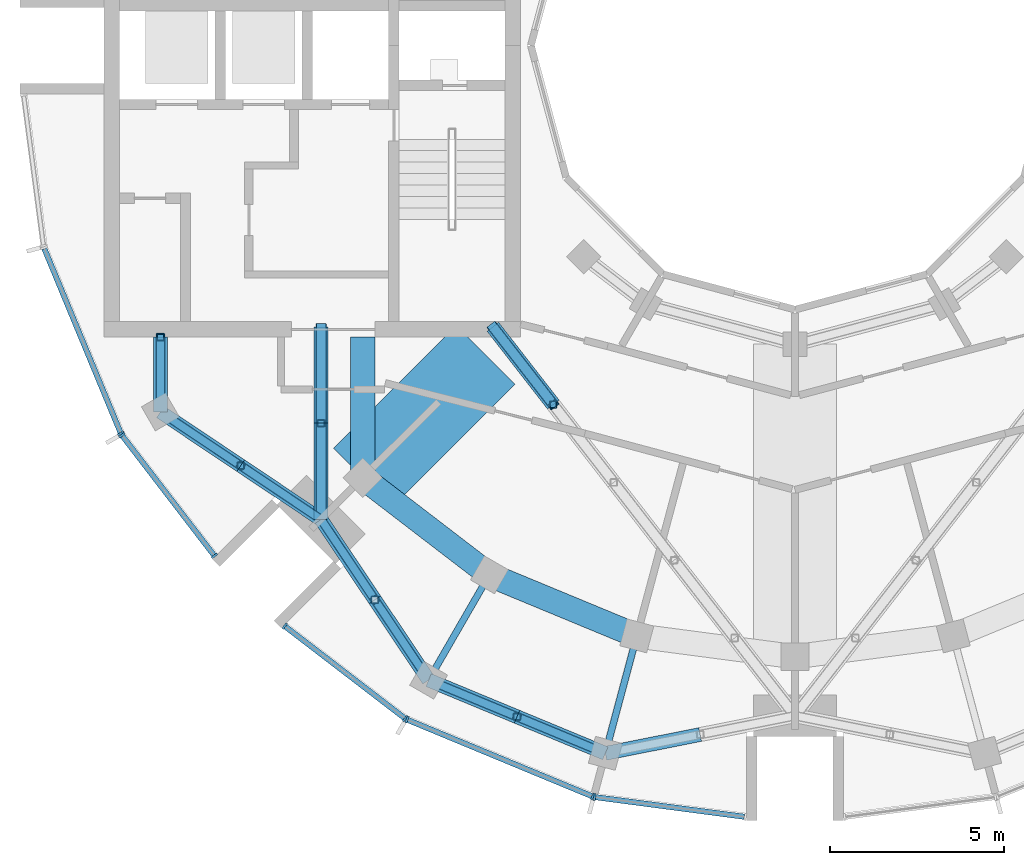
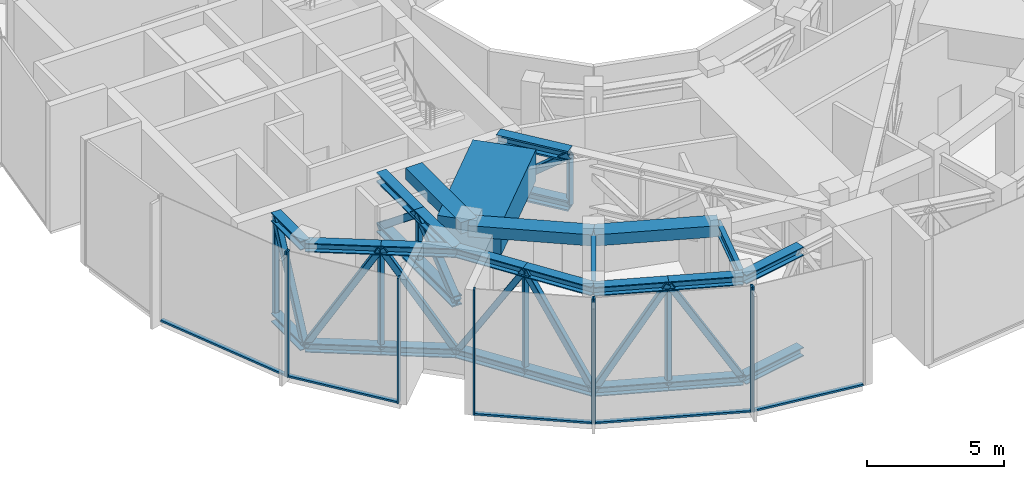
# One storey, part 2 of 17: 51 members, 6 beams, 5 elements without a shape of their own.
"""IFC4 building model written with IfcOpenShell, lengths in metres."""

from ifc_helpers import new_model, si_unit, direction, frame, origin, origin_2d, place, context, subcontext, project, spatial, rectangle, hollow_rectangle, i_section, extrude, material, layer, layer_set, material_profile, profile_set, type_object, element, aggregate, save


model = new_model("IFC4")

# Units and contexts
model_context = context("Model", 3, precision=1e-05, world=origin(), true_north=direction((0.0, 1.0)))
body_context = subcontext(model_context, "Body", "Model", "MODEL_VIEW")
ifc_project = project(units=[si_unit("LENGTHUNIT", "METRE"), si_unit("AREAUNIT", "SQUARE_METRE"), si_unit("VOLUMEUNIT", "CUBIC_METRE"), si_unit("PLANEANGLEUNIT", "RADIAN"), si_unit("MASSUNIT", "GRAM", prefix="KILO")], contexts=[model_context])

# Site, building, storey
site_placement = place(None, origin())
site = spatial("IfcSite", under=ifc_project, at=site_placement, CompositionType="ELEMENT")
building_placement = place(site_placement, origin())
building = spatial("IfcBuilding", under=site, at=building_placement, Name="Torre Brocal", CompositionType="ELEMENT")
storey_placement = place(building_placement, frame((0.0, 0.0, 309.300048828125)))
storey = spatial("IfcBuildingStorey", under=building, at=storey_placement, Name="L71", CompositionType="ELEMENT", Elevation=309.300048828125)

# Members
ifc_material_1 = material(Name="Steel A500 Grade C", Category="steel")
ifc_material_profile_1 = material_profile(ifc_material_1, hollow_rectangle(XDim=0.203125, YDim=0.203125, WallThickness=0.01171875, InnerFilletRadius=0.01171875, OuterFilletRadius=0.023681640625, at=origin_2d()), Name="HSS8X8X1/2")
ifc_profile_set_1 = profile_set([ifc_material_profile_1], Name="Steel A500 Grade C")
member_type_1 = type_object("IfcMemberType", Name="BELT 3 POST HSS8X8X1/2", PredefinedType="POST", material=ifc_profile_set_1)
for number, where, z_axis, x_axis, name in (
    (1, (61.726806640625, 66.60009765625, 0.599365234375), (0.0, 0.0, 1.0), (1.0, 0.0, 0.0), "Member BT3-P10"),
    (2, (64.039794921875, 62.9013671875, 0.599365234375), (0.0, 0.0, 1.0), (1.0, 0.0, 0.0), "Member BT3-P11"),
    (3, (67.9013671875, 59.039794921875, 0.599365234375), (0.0, 0.0, 1.0), (1.0, 0.0, 0.0), "Member BT3-P12"),
    (4, (71.994384765625, 55.6728515625, 0.599365234375), (0.0, 0.0, 1.0), (1.0, 0.0, 0.0), "Member BT3-P13"),
):
    element("IfcMember", number, at=place(storey_placement, frame(where, z_axis=z_axis, x_axis=x_axis)), inside=storey, type_object=member_type_1, Name=name, PredefinedType="POST", context=body_context, shape_type="SweptSolid", body=[
        extrude(hollow_rectangle(XDim=0.203125, YDim=0.203125, WallThickness=0.01171875, InnerFilletRadius=0.01171875, OuterFilletRadius=0.023681640625, at=origin_2d()), origin(), (0.0, 0.0, 1.0), 4.481201171875),
    ])

# Curtain wall, member
ifc_material_2 = material(Name="Aluminium and glass", Category="aluminium")
ifc_layer = layer(ifc_material_2, 0.199951171875)
ifc_layer_set = layer_set([ifc_layer], Name="Aluminium and glass")
curtain_wall_type = type_object("IfcCurtainWallType", Name="CW-1 CURTAIN WALL 5600 HIGH", PredefinedType="NOTDEFINED", material=ifc_layer_set)
curtain_wall_1_placement = place(storey_placement, origin())
curtain_wall_1 = element("IfcCurtainWall", 5, at=curtain_wall_1_placement, inside=storey, type_object=curtain_wall_type, Name="CW-1 RUN 14", PredefinedType="NOTDEFINED")
ifc_material_3 = material(Name="Aluminium, dark anodised", Category="aluminium")
ifc_material_profile_2 = material_profile(ifc_material_3, rectangle(XDim=0.199951171875, YDim=0.06005859375, at=origin_2d()), Name="CW-1 MULLION 60X200")
ifc_profile_set_2 = profile_set([ifc_material_profile_2], Name="Aluminium, dark anodised")
member_type_2 = type_object("IfcMemberType", Name="CW-1 MULLION 60X200", PredefinedType="MULLION", material=ifc_profile_set_2)
member_1_placement = place(storey_placement, frame((60.59033203125, 63.828125, 0.0), z_axis=(0.0, 0.0, 1.0), x_axis=(0.923879532545, 0.382683432284, 0.0)))
member_1 = element("IfcMember", 6, at=member_1_placement, type_object=member_type_2, Name="CW1-2 mullion 2", PredefinedType="MULLION", context=body_context, shape_type="SweptSolid", body=[
    extrude(rectangle(XDim=0.199951171875, YDim=0.06005859375, at=origin_2d()), origin(), (0.0, 0.0, 1.0), 5.599853515625),
])

# Curtain wall, members
curtain_wall_2_placement = place(storey_placement, origin())
curtain_wall_2 = element("IfcCurtainWall", 7, at=curtain_wall_2_placement, inside=storey, type_object=curtain_wall_type, Name="CW-1 RUN 15", PredefinedType="NOTDEFINED")
member_2_placement = place(storey_placement, frame((60.6201171875, 63.776611328125, 0.0), z_axis=(0.0, 0.0, 1.0), x_axis=(0.793353340249, 0.608761429064, 0.0)))
member_2 = element("IfcMember", 8, at=member_2_placement, type_object=member_type_2, Name="CW1-2 mullion 1", PredefinedType="MULLION", context=body_context, shape_type="SweptSolid", body=[
    extrude(rectangle(XDim=0.199951171875, YDim=0.06005859375, at=origin_2d()), origin(), (0.0, 0.0, 1.0), 5.599853515625),
])
member_3_placement = place(storey_placement, frame((63.283447265625, 60.305419921875, 0.0), z_axis=(0.0, 0.0, 1.0), x_axis=(0.793353340249, 0.608761429064, 0.0)))
member_3 = element("IfcMember", 9, at=member_3_placement, type_object=member_type_2, Name="CW1-2 mullion 2", PredefinedType="MULLION", context=body_context, shape_type="SweptSolid", body=[
    extrude(rectangle(XDim=0.199951171875, YDim=0.06005859375, at=origin_2d()), origin(), (0.0, 0.0, 1.0), 5.599853515625),
])

curtain_wall_3_placement = place(storey_placement, origin())
curtain_wall_3 = element("IfcCurtainWall", 10, at=curtain_wall_3_placement, inside=storey, type_object=curtain_wall_type, Name="CW-1 RUN 16", PredefinedType="NOTDEFINED")
member_4_placement = place(storey_placement, frame((65.305419921875, 58.283447265625, 0.0), z_axis=(0.0, 0.0, 1.0), x_axis=(0.608761429064, 0.793353340249, 0.0)))
member_4 = element("IfcMember", 11, at=member_4_placement, type_object=member_type_2, Name="CW1-2 mullion 1", PredefinedType="MULLION", context=body_context, shape_type="SweptSolid", body=[
    extrude(rectangle(XDim=0.199951171875, YDim=0.06005859375, at=origin_2d()), origin(), (0.0, 0.0, 1.0), 5.599853515625),
])
member_5_placement = place(storey_placement, frame((68.776611328125, 55.6201171875, 0.0), z_axis=(0.0, 0.0, 1.0), x_axis=(0.608761429064, 0.793353340249, 0.0)))
member_5 = element("IfcMember", 12, at=member_5_placement, type_object=member_type_2, Name="CW1-2 mullion 2", PredefinedType="MULLION", context=body_context, shape_type="SweptSolid", body=[
    extrude(rectangle(XDim=0.199951171875, YDim=0.06005859375, at=origin_2d()), origin(), (0.0, 0.0, 1.0), 5.599853515625),
])

curtain_wall_4_placement = place(storey_placement, origin())
curtain_wall_4 = element("IfcCurtainWall", 13, at=curtain_wall_4_placement, inside=storey, type_object=curtain_wall_type, Name="CW-1 RUN 17", PredefinedType="NOTDEFINED")
member_6_placement = place(storey_placement, frame((68.828125, 55.59033203125, 0.0), z_axis=(0.0, 0.0, 1.0), x_axis=(0.382683432284, 0.923879532545, 0.0)))
member_6 = element("IfcMember", 14, at=member_6_placement, type_object=member_type_2, Name="CW1-2 mullion 1", PredefinedType="MULLION", context=body_context, shape_type="SweptSolid", body=[
    extrude(rectangle(XDim=0.199951171875, YDim=0.06005859375, at=origin_2d()), origin(), (0.0, 0.0, 1.0), 5.599853515625),
])
member_7_placement = place(storey_placement, frame((74.175048828125, 53.37548828125, 0.0), z_axis=(0.0, 0.0, 1.0), x_axis=(0.382683432284, 0.923879532545, 0.0)))
member_7 = element("IfcMember", 15, at=member_7_placement, type_object=member_type_2, Name="CW1-2 mullion 2", PredefinedType="MULLION", context=body_context, shape_type="SweptSolid", body=[
    extrude(rectangle(XDim=0.199951171875, YDim=0.06005859375, at=origin_2d()), origin(), (0.0, 0.0, 1.0), 5.599853515625),
])

# Curtain wall, member
curtain_wall_5_placement = place(storey_placement, origin())
curtain_wall_5 = element("IfcCurtainWall", 16, at=curtain_wall_5_placement, inside=storey, type_object=curtain_wall_type, Name="CW-1 RUN 18", PredefinedType="NOTDEFINED")
member_8_placement = place(storey_placement, frame((74.232421875, 53.360107421875, 0.0), z_axis=(0.0, 0.0, 1.0), x_axis=(0.13052619222, 0.991444861374, 0.0)))
member_8 = element("IfcMember", 17, at=member_8_placement, type_object=member_type_2, Name="CW1-2 mullion 1", PredefinedType="MULLION", context=body_context, shape_type="SweptSolid", body=[
    extrude(rectangle(XDim=0.199951171875, YDim=0.06005859375, at=origin_2d()), origin(), (0.0, 0.0, 1.0), 5.599853515625),
])

# Member
ifc_material_4 = material(Name="Aluminium, dark anodised", Category="aluminium")
ifc_material_profile_3 = material_profile(ifc_material_4, rectangle(XDim=0.159912109375, YDim=0.080078125, at=origin_2d()), Name="CW-1 TRANSOM 160X80")
ifc_profile_set_3 = profile_set([ifc_material_profile_3], Name="Aluminium, dark anodised")
member_type_3 = type_object("IfcMemberType", Name="CW-1 TRANSOM 160X80", PredefinedType="USERDEFINED", material=ifc_profile_set_3)
member_9_placement = place(storey_placement, frame((58.386962890625, 69.147216796875, 0.0400390625), z_axis=(0.382710701355, -0.923868236854, 0.0), x_axis=(0.923868236854, 0.382710701355, 0.0)))
member_9 = element("IfcMember", 18, at=member_9_placement, type_object=member_type_3, Name="CW1-2 transom 1.1", ObjectType="TRANSOM", PredefinedType="USERDEFINED", context=body_context, shape_type="SweptSolid", body=[
    extrude(rectangle(XDim=0.159912109375, YDim=0.080078125, at=origin_2d()), origin(), (0.0, 0.0, 1.0), 5.727294921875),
])

aggregate(curtain_wall_1, [member_1, member_9])

member_10_placement = place(storey_placement, frame((60.63818359375, 63.7529296875, 0.0400390625), z_axis=(0.608788976677, -0.793332201462, 0.0), x_axis=(0.793332201462, 0.608788976677, 0.0)))
member_10 = element("IfcMember", 19, at=member_10_placement, type_object=member_type_3, Name="CW1-2 transom 1.1", ObjectType="TRANSOM", PredefinedType="USERDEFINED", context=body_context, shape_type="SweptSolid", body=[
    extrude(rectangle(XDim=0.159912109375, YDim=0.080078125, at=origin_2d()), origin(), (0.0, 0.0, 1.0), 4.3154296875),
])

aggregate(curtain_wall_2, [member_2, member_3, member_10])

member_11_placement = place(storey_placement, frame((65.329345703125, 58.265380859375, 0.0400390625), z_axis=(0.793332201462, -0.608788976677, 0.0), x_axis=(0.608788976677, 0.793332201462, 0.0)))
member_11 = element("IfcMember", 20, at=member_11_placement, type_object=member_type_3, Name="CW1-2 transom 1.1", ObjectType="TRANSOM", PredefinedType="USERDEFINED", context=body_context, shape_type="SweptSolid", body=[
    extrude(rectangle(XDim=0.159912109375, YDim=0.080078125, at=origin_2d()), origin(), (0.0, 0.0, 1.0), 4.3154296875),
])

aggregate(curtain_wall_3, [member_4, member_5, member_11])

member_12_placement = place(storey_placement, frame((68.85595703125, 55.578857421875, 0.0400390625), z_axis=(0.923868236854, -0.382710701355, 0.0), x_axis=(0.382710701355, 0.923868236854, 0.0)))
member_12 = element("IfcMember", 21, at=member_12_placement, type_object=member_type_3, Name="CW1-2 transom 1.1", ObjectType="TRANSOM", PredefinedType="USERDEFINED", context=body_context, shape_type="SweptSolid", body=[
    extrude(rectangle(XDim=0.159912109375, YDim=0.080078125, at=origin_2d()), origin(), (0.0, 0.0, 1.0), 5.727294921875),
])

aggregate(curtain_wall_4, [member_6, member_7, member_12])

member_13_placement = place(storey_placement, frame((74.26220703125, 53.356201171875, 0.0400390625), z_axis=(0.991445435136, -0.130521833991, 0.0), x_axis=(0.130521833991, 0.991445435136, 0.0)))
member_13 = element("IfcMember", 22, at=member_13_placement, type_object=member_type_3, Name="CW1-2 transom 1.1", ObjectType="TRANSOM", PredefinedType="USERDEFINED", context=body_context, shape_type="SweptSolid", body=[
    extrude(rectangle(XDim=0.159912109375, YDim=0.080078125, at=origin_2d()), origin(), (0.0, 0.0, 1.0), 4.315185546875),
])

aggregate(curtain_wall_5, [member_8, member_13])

# Members
ifc_material_5 = material(Name="Steel A500 Grade C", Category="steel")
ifc_material_profile_4 = material_profile(ifc_material_5, hollow_rectangle(XDim=0.203125, YDim=0.203125, WallThickness=0.01171875, InnerFilletRadius=0.01171875, OuterFilletRadius=0.023681640625, at=origin_2d()), Name="HSS8X8X1/2")
ifc_profile_set_4 = profile_set([ifc_material_profile_4], Name="Steel A500 Grade C")
member_type_4 = type_object("IfcMemberType", Name="OUTRIGGER 3 POST HSS8X8X1/2", PredefinedType="POST", material=ifc_profile_set_4)
member_14_placement = place(storey_placement, frame((66.352783203125, 64.12646484375, 2.817138671875), z_axis=(0.0, 0.0, 1.0), x_axis=(1.0, 0.0, 0.0)))
element("IfcMember", 23, at=member_14_placement, inside=storey, type_object=member_type_4, Name="Member OT3-P11", PredefinedType="POST", context=body_context, shape_type="SweptSolid", body=[
    extrude(hollow_rectangle(XDim=0.203125, YDim=0.203125, WallThickness=0.01171875, InnerFilletRadius=0.01171875, OuterFilletRadius=0.023681640625, at=origin_2d()), origin(), (0.0, 0.0, 1.0), 2.24560546875),
])
member_15_placement = place(storey_placement, frame((73.0400390625, 64.659912109375, 2.832275390625), z_axis=(0.0, 0.0, 1.0), x_axis=(1.0, 0.0, 0.0)))
element("IfcMember", 24, at=member_15_placement, inside=storey, type_object=member_type_4, Name="Member OT3-P16", PredefinedType="POST", context=body_context, shape_type="SweptSolid", body=[
    extrude(hollow_rectangle(XDim=0.203125, YDim=0.203125, WallThickness=0.01171875, InnerFilletRadius=0.01171875, OuterFilletRadius=0.023681640625, at=origin_2d()), origin(), (0.0, 0.0, 1.0), 2.21533203125),
])

# Beams
ifc_material_6 = material(Name="Steel A992", Category="steel")
ifc_material_profile_5 = material_profile(ifc_material_6, i_section(OverallWidth=0.19287109375, OverallDepth=0.46728515625, WebThickness=0.011474609375, FlangeThickness=0.01904296875, at=origin_2d()), Name="W18X65")
ifc_profile_set_5 = profile_set([ifc_material_profile_5], Name="Steel A992")
beam_type_1 = type_object("IfcBeamType", Name="PLANT FLOOR BEAM TOP 5280 W18X65", PredefinedType="BEAM", material=ifc_profile_set_5)
for number, where, z_axis, x_axis, name in (
    (25, (71.199951171875, 59.758056640625, 5.046142578125), (-0.499980071345, -0.866036909293, 0.0), (0.866036909293, -0.499980071345, 0.0), "Beam SF-03"),
    (26, (75.44482421875, 57.999755859375, 5.046142578125), (-0.258847652622, -0.965918160473, 0.0), (0.965918160473, -0.258847652622, 0.0), "Beam SF-03"),
):
    element("IfcBeam", number, at=place(storey_placement, frame(where, z_axis=z_axis, x_axis=x_axis)), inside=storey, type_object=beam_type_1, Name=name, PredefinedType="BEAM", context=body_context, shape_type="SweptSolid", body=[
        extrude(i_section(OverallWidth=0.19287109375, OverallDepth=0.46728515625, WebThickness=0.011474609375, FlangeThickness=0.01904296875, at=origin_2d()), origin(), (0.0, 0.0, 1.0), 3.500244140625),
    ])
ifc_material_7 = material(Name="Concrete C50", Category="concrete")
ifc_material_profile_6 = material_profile(ifc_material_7, rectangle(XDim=0.699951171875, YDim=0.5, at=origin_2d()), Name="RC 700X500")
ifc_profile_set_6 = profile_set([ifc_material_profile_6], Name="Concrete C50")
beam_type_2 = type_object("IfcBeamType", Name="RC BEAM 700X500 C50 TOP 5280", PredefinedType="BEAM", material=ifc_profile_set_6)
beam_1_placement = place(storey_placement, frame((67.554931640625, 62.554931640625, 5.030029296875), z_axis=(0.0, 1.0, 0.0), x_axis=(-1.0, 0.0, 0.0)))
element("IfcBeam", 27, at=beam_1_placement, inside=storey, type_object=beam_type_2, Name="Beam BT-36", PredefinedType="BEAM", context=body_context, shape_type="SweptSolid", body=[
    extrude(rectangle(XDim=0.699951171875, YDim=0.5, at=origin_2d()), origin(), (0.0, 0.0, 1.0), 4.045166015625),
])
beam_2_placement = place(storey_placement, frame((67.554931640625, 62.554931640625, 5.030029296875), z_axis=(0.793358265959, -0.6087550097, 0.0), x_axis=(0.6087550097, 0.793358265959, 0.0)))
element("IfcBeam", 28, at=beam_2_placement, inside=storey, type_object=beam_type_2, Name="Beam BT-36", PredefinedType="BEAM", context=body_context, shape_type="SweptSolid", body=[
    extrude(rectangle(XDim=0.699951171875, YDim=0.5, at=origin_2d()), origin(), (0.0, 0.0, 1.0), 4.594482421875),
])
beam_3_placement = place(storey_placement, frame((71.199951171875, 59.758056640625, 5.030029296875), z_axis=(0.923878240166, -0.382686552348, 0.0), x_axis=(0.382686552348, 0.923878240166, 0.0)))
element("IfcBeam", 29, at=beam_3_placement, inside=storey, type_object=beam_type_2, Name="Beam BT-36", PredefinedType="BEAM", context=body_context, shape_type="SweptSolid", body=[
    extrude(rectangle(XDim=0.699951171875, YDim=0.5, at=origin_2d()), origin(), (0.0, 0.0, 1.0), 4.5947265625),
])
ifc_material_8 = material(Name="Concrete C60", Category="concrete")
ifc_material_profile_7 = material_profile(ifc_material_8, rectangle(XDim=2.39990234375, YDim=1.39990234375, at=origin_2d()), Name="RC 2400X1400")
ifc_profile_set_7 = profile_set([ifc_material_profile_7], Name="Concrete C60")
beam_type_3 = type_object("IfcBeamType", Name="RC TRANSFER GIRDER 2400X1400 C60 TOP 5280", PredefinedType="BEAM", material=ifc_profile_set_7)
beam_4_placement = place(storey_placement, frame((71.090576171875, 66.090576171875, 4.579833984375), z_axis=(-0.707106781187, -0.707106781187, 0.0), x_axis=(0.707106781187, -0.707106781187, 0.0)))
element("IfcBeam", 30, at=beam_4_placement, inside=storey, type_object=beam_type_3, Name="Beam TG-09", PredefinedType="BEAM", context=body_context, shape_type="SweptSolid", body=[
    extrude(rectangle(XDim=2.39990234375, YDim=1.39990234375, at=origin_2d()), origin(), (0.0, 0.0, 1.0), 5.000244140625),
])

# Members
ifc_material_9 = material(Name="Steel A992", Category="steel")
ifc_material_profile_8 = material_profile(ifc_material_9, i_section(OverallWidth=0.4013671875, OverallDepth=0.398681640625, WebThickness=0.02490234375, FlangeThickness=0.03955078125, at=origin_2d()), Name="W14X211")
ifc_profile_set_8 = profile_set([ifc_material_profile_8], Name="Steel A992")
member_type_5 = type_object("IfcMemberType", Name="TRUSS BOTTOM CHORD W14X211", PredefinedType="CHORD", material=ifc_profile_set_8)
member_16_placement = place(storey_placement, frame((61.726806640625, 64.449951171875, 0.599365234375), z_axis=(0.0, 1.0, 0.0), x_axis=(-1.0, 0.0, 0.0)))
element("IfcMember", 31, at=member_16_placement, inside=storey, type_object=member_type_5, Name="Member BT3-C36", PredefinedType="CHORD", context=body_context, shape_type="SweptSolid", body=[
    extrude(i_section(OverallWidth=0.4013671875, OverallDepth=0.398681640625, WebThickness=0.02490234375, FlangeThickness=0.03955078125, at=origin_2d()), origin(), (0.0, 0.0, 1.0), 2.150146484375),
])
for number, where, z_axis, x_axis, name in (
    (32, (61.726806640625, 64.449951171875, 0.599365234375), (0.830955689206, -0.556338604247, 0.0), (0.556338604247, 0.830955689206, 0.0), "Member BT3-C38"),
    (33, (64.039794921875, 62.9013671875, 0.599365234375), (0.830955689206, -0.556338604247, 0.0), (0.556338604247, 0.830955689206, 0.0), "Member BT3-C40"),
    (34, (66.352783203125, 61.352783203125, 0.599365234375), (0.556338604247, -0.830955689206, 0.0), (0.830955689206, 0.556338604247, 0.0), "Member BT3-C42"),
    (35, (67.9013671875, 59.039794921875, 0.599365234375), (0.556338604247, -0.830955689206, 0.0), (0.830955689206, 0.556338604247, 0.0), "Member BT3-C44"),
):
    element("IfcMember", number, at=place(storey_placement, frame(where, z_axis=z_axis, x_axis=x_axis)), inside=storey, type_object=member_type_5, Name=name, PredefinedType="CHORD", context=body_context, shape_type="SweptSolid", body=[
        extrude(i_section(OverallWidth=0.4013671875, OverallDepth=0.398681640625, WebThickness=0.02490234375, FlangeThickness=0.03955078125, at=origin_2d()), origin(), (0.0, 0.0, 1.0), 2.783447265625),
    ])
for number, where, z_axis, x_axis, name in (
    (36, (69.449951171875, 56.726806640625, 0.599365234375), (0.923877456038, -0.382688445377, 0.0), (0.382688445377, 0.923877456038, 0.0), "Member BT3-C46"),
    (37, (71.994384765625, 55.6728515625, 0.599365234375), (0.923877456038, -0.382688445377, 0.0), (0.382688445377, 0.923877456038, 0.0), "Member BT3-C48"),
):
    element("IfcMember", number, at=place(storey_placement, frame(where, z_axis=z_axis, x_axis=x_axis)), inside=storey, type_object=member_type_5, Name=name, PredefinedType="CHORD", context=body_context, shape_type="SweptSolid", body=[
        extrude(i_section(OverallWidth=0.4013671875, OverallDepth=0.398681640625, WebThickness=0.02490234375, FlangeThickness=0.03955078125, at=origin_2d()), origin(), (0.0, 0.0, 1.0), 2.754150390625),
    ])
member_17_placement = place(storey_placement, frame((74.538818359375, 54.618896484375, 0.599365234375), z_axis=(0.980966677933, 0.194176148855, 0.0), x_axis=(-0.194176148855, 0.980966677933, 0.0)))
element("IfcMember", 38, at=member_17_placement, inside=storey, type_object=member_type_5, Name="Member BT3-C50", PredefinedType="CHORD", context=body_context, shape_type="SweptSolid", body=[
    extrude(i_section(OverallWidth=0.4013671875, OverallDepth=0.398681640625, WebThickness=0.02490234375, FlangeThickness=0.03955078125, at=origin_2d()), origin(), (0.0, 0.0, 1.0), 2.78369140625),
])
ifc_material_10 = material(Name="Steel A992", Category="steel")
ifc_material_profile_9 = material_profile(ifc_material_10, i_section(OverallWidth=0.41162109375, OverallDepth=0.434326171875, WebThickness=0.035888671875, FlangeThickness=0.057373046875, at=origin_2d()), Name="W14X311")
ifc_profile_set_9 = profile_set([ifc_material_profile_9], Name="Steel A992")
member_type_6 = type_object("IfcMemberType", Name="TRUSS BOTTOM CHORD W14X311", PredefinedType="CHORD", material=ifc_profile_set_9)
member_18_placement = place(storey_placement, frame((66.352783203125, 66.89990234375, 2.817138671875), z_axis=(0.0, -1.0, 0.0), x_axis=(1.0, 0.0, 0.0)))
element("IfcMember", 39, at=member_18_placement, inside=storey, type_object=member_type_6, Name="Member OT3-C30", PredefinedType="CHORD", context=body_context, shape_type="SweptSolid", body=[
    extrude(i_section(OverallWidth=0.41162109375, OverallDepth=0.434326171875, WebThickness=0.035888671875, FlangeThickness=0.057373046875, at=origin_2d()), origin(), (0.0, 0.0, 1.0), 2.7734375),
])
member_19_placement = place(storey_placement, frame((66.352783203125, 64.12646484375, 2.817138671875), z_axis=(0.0, -1.0, 0.0), x_axis=(1.0, 0.0, 0.0)))
element("IfcMember", 40, at=member_19_placement, inside=storey, type_object=member_type_6, Name="Member OT3-C32", PredefinedType="CHORD", context=body_context, shape_type="SweptSolid", body=[
    extrude(i_section(OverallWidth=0.41162109375, OverallDepth=0.434326171875, WebThickness=0.035888671875, FlangeThickness=0.057373046875, at=origin_2d()), origin(), (0.0, 0.0, 1.0), 2.773681640625),
])
ifc_material_11 = material(Name="Steel A992", Category="steel")
ifc_material_profile_10 = material_profile(ifc_material_11, i_section(OverallWidth=0.421630859375, OverallDepth=0.46484375, WebThickness=0.044921875, FlangeThickness=0.072509765625, at=origin_2d()), Name="W14X398")
ifc_profile_set_10 = profile_set([ifc_material_profile_10], Name="Steel A992")
member_type_7 = type_object("IfcMemberType", Name="TRUSS BOTTOM CHORD W14X398", PredefinedType="CHORD", material=ifc_profile_set_10)
member_20_placement = place(storey_placement, frame((71.300048828125, 66.89990234375, 2.832275390625), z_axis=(0.613451858445, -0.789732117474, 0.0), x_axis=(0.789732117474, 0.613451858445, 0.0)))
element("IfcMember", 41, at=member_20_placement, inside=storey, type_object=member_type_7, Name="Member OT3-C44", PredefinedType="CHORD", context=body_context, shape_type="SweptSolid", body=[
    extrude(i_section(OverallWidth=0.421630859375, OverallDepth=0.46484375, WebThickness=0.044921875, FlangeThickness=0.072509765625, at=origin_2d()), origin(), (0.0, 0.0, 1.0), 2.83642578125),
])
ifc_material_12 = material(Name="Steel A500 Grade C", Category="steel")
ifc_material_profile_11 = material_profile(ifc_material_12, hollow_rectangle(XDim=0.25390625, YDim=0.25390625, WallThickness=0.01171875, InnerFilletRadius=0.01171875, OuterFilletRadius=0.023681640625, at=origin_2d()), Name="HSS10X10X1/2")
ifc_profile_set_11 = profile_set([ifc_material_profile_11], Name="Steel A500 Grade C")
member_type_8 = type_object("IfcMemberType", Name="TRUSS DIAGONAL HSS10X10X1/2", PredefinedType="BRACE", material=ifc_profile_set_11)
member_21_placement = place(storey_placement, frame((61.726806640625, 64.449951171875, 0.599365234375), z_axis=(0.0, 0.432595329375, 0.901588199237), x_axis=(-1.0, 0.0, 0.0)))
element("IfcMember", 42, at=member_21_placement, inside=storey, type_object=member_type_8, Name="Member BT3-D18", PredefinedType="BRACE", context=body_context, shape_type="SweptSolid", body=[
    extrude(hollow_rectangle(XDim=0.25390625, YDim=0.25390625, WallThickness=0.01171875, InnerFilletRadius=0.01171875, OuterFilletRadius=0.023681640625, at=origin_2d()), origin(), (0.0, 0.0, 1.0), 4.970458984375),
])
for number, where, z_axis, x_axis, name in (
    (43, (61.726806640625, 64.449951171875, 0.599365234375), (0.438453095926, -0.293551613622, 0.849462378692), (0.556338604247, 0.830955689206, 0.0), "Member BT3-D19"),
    (44, (64.039794921875, 62.9013671875, 5.08056640625), (0.438453095926, -0.293551613622, -0.849462378692), (0.556338604247, 0.830955689206, 0.0), "Member BT3-D20"),
    (45, (66.352783203125, 61.352783203125, 0.599365234375), (0.293551613622, -0.438453095926, 0.849462378692), (0.830955689206, 0.556338604247, 0.0), "Member BT3-D21"),
    (46, (67.9013671875, 59.039794921875, 5.08056640625), (0.293551613622, -0.438453095926, -0.849462378692), (0.830955689206, 0.556338604247, 0.0), "Member BT3-D22"),
):
    element("IfcMember", number, at=place(storey_placement, frame(where, z_axis=z_axis, x_axis=x_axis)), inside=storey, type_object=member_type_8, Name=name, PredefinedType="BRACE", context=body_context, shape_type="SweptSolid", body=[
        extrude(hollow_rectangle(XDim=0.25390625, YDim=0.25390625, WallThickness=0.01171875, InnerFilletRadius=0.01171875, OuterFilletRadius=0.023681640625, at=origin_2d()), origin(), (0.0, 0.0, 1.0), 5.275390625),
    ])
for number, where, z_axis, x_axis, name in (
    (47, (69.449951171875, 56.726806640625, 0.599365234375), (0.483745494743, -0.200377019843, 0.851962056804), (0.382688445377, 0.923877456038, 0.0), "Member BT3-D23"),
    (48, (71.994384765625, 55.6728515625, 5.08056640625), (0.483745494743, -0.200377019843, -0.851962056804), (0.382688445377, 0.923877456038, 0.0), "Member BT3-D24"),
):
    element("IfcMember", number, at=place(storey_placement, frame(where, z_axis=z_axis, x_axis=x_axis)), inside=storey, type_object=member_type_8, Name=name, PredefinedType="BRACE", context=body_context, shape_type="SweptSolid", body=[
        extrude(hollow_rectangle(XDim=0.25390625, YDim=0.25390625, WallThickness=0.01171875, InnerFilletRadius=0.01171875, OuterFilletRadius=0.023681640625, at=origin_2d()), origin(), (0.0, 0.0, 1.0), 5.259765625),
    ])
ifc_material_13 = material(Name="Steel A500 Grade C", Category="steel")
ifc_material_profile_12 = material_profile(ifc_material_13, hollow_rectangle(XDim=0.3046875, YDim=0.3046875, WallThickness=0.014892578125, InnerFilletRadius=0.014892578125, OuterFilletRadius=0.029541015625, at=origin_2d()), Name="HSS12X12X5/8")
ifc_profile_set_12 = profile_set([ifc_material_profile_12], Name="Steel A500 Grade C")
member_type_9 = type_object("IfcMemberType", Name="TRUSS DIAGONAL HSS12X12X5/8", PredefinedType="BRACE", material=ifc_profile_set_12)
member_22_placement = place(storey_placement, frame((66.352783203125, 66.89990234375, 2.817138671875), z_axis=(0.0, -0.777184325305, 0.62927301269), x_axis=(1.0, 0.0, 0.0)))
element("IfcMember", 49, at=member_22_placement, inside=storey, type_object=member_type_9, Name="Member OT3-D15", PredefinedType="BRACE", context=body_context, shape_type="SweptSolid", body=[
    extrude(hollow_rectangle(XDim=0.3046875, YDim=0.3046875, WallThickness=0.014892578125, InnerFilletRadius=0.014892578125, OuterFilletRadius=0.029541015625, at=origin_2d()), origin(), (0.0, 0.0, 1.0), 3.568603515625),
])
member_23_placement = place(storey_placement, frame((66.352783203125, 64.12646484375, 5.062744140625), z_axis=(0.0, -0.777211414075, -0.629239555203), x_axis=(1.0, 0.0, 0.0)))
element("IfcMember", 50, at=member_23_placement, inside=storey, type_object=member_type_9, Name="Member OT3-D16", PredefinedType="BRACE", context=body_context, shape_type="SweptSolid", body=[
    extrude(hollow_rectangle(XDim=0.3046875, YDim=0.3046875, WallThickness=0.014892578125, InnerFilletRadius=0.014892578125, OuterFilletRadius=0.029541015625, at=origin_2d()), origin(), (0.0, 0.0, 1.0), 3.56884765625),
])
member_24_placement = place(storey_placement, frame((71.300048828125, 66.89990234375, 2.832275390625), z_axis=(0.483464594084, -0.622391981299, 0.615540581832), x_axis=(0.789732117474, 0.613451858445, 0.0)))
element("IfcMember", 51, at=member_24_placement, inside=storey, type_object=member_type_9, Name="Member OT3-D22", PredefinedType="BRACE", context=body_context, shape_type="SweptSolid", body=[
    extrude(hollow_rectangle(XDim=0.3046875, YDim=0.3046875, WallThickness=0.014892578125, InnerFilletRadius=0.014892578125, OuterFilletRadius=0.029541015625, at=origin_2d()), origin(), (0.0, 0.0, 1.0), 3.59912109375),
])
ifc_material_14 = material(Name="Steel A992", Category="steel")
ifc_material_profile_13 = material_profile(ifc_material_14, i_section(OverallWidth=0.4013671875, OverallDepth=0.398681640625, WebThickness=0.02490234375, FlangeThickness=0.03955078125, at=origin_2d()), Name="W14X211")
ifc_profile_set_13 = profile_set([ifc_material_profile_13], Name="Steel A992")
member_type_10 = type_object("IfcMemberType", Name="TRUSS TOP CHORD W14X211", PredefinedType="CHORD", material=ifc_profile_set_13)
member_25_placement = place(storey_placement, frame((61.726806640625, 64.449951171875, 5.08056640625), z_axis=(0.0, 1.0, 0.0), x_axis=(-1.0, 0.0, 0.0)))
element("IfcMember", 52, at=member_25_placement, inside=storey, type_object=member_type_10, Name="Member BT3-C35", PredefinedType="CHORD", context=body_context, shape_type="SweptSolid", body=[
    extrude(i_section(OverallWidth=0.4013671875, OverallDepth=0.398681640625, WebThickness=0.02490234375, FlangeThickness=0.03955078125, at=origin_2d()), origin(), (0.0, 0.0, 1.0), 2.150146484375),
])
for number, where, z_axis, x_axis, name in (
    (53, (61.726806640625, 64.449951171875, 5.08056640625), (0.830955689206, -0.556338604247, 0.0), (0.556338604247, 0.830955689206, 0.0), "Member BT3-C37"),
    (54, (64.039794921875, 62.9013671875, 5.08056640625), (0.830955689206, -0.556338604247, 0.0), (0.556338604247, 0.830955689206, 0.0), "Member BT3-C39"),
    (55, (66.352783203125, 61.352783203125, 5.08056640625), (0.556338604247, -0.830955689206, 0.0), (0.830955689206, 0.556338604247, 0.0), "Member BT3-C41"),
    (56, (67.9013671875, 59.039794921875, 5.08056640625), (0.556338604247, -0.830955689206, 0.0), (0.830955689206, 0.556338604247, 0.0), "Member BT3-C43"),
):
    element("IfcMember", number, at=place(storey_placement, frame(where, z_axis=z_axis, x_axis=x_axis)), inside=storey, type_object=member_type_10, Name=name, PredefinedType="CHORD", context=body_context, shape_type="SweptSolid", body=[
        extrude(i_section(OverallWidth=0.4013671875, OverallDepth=0.398681640625, WebThickness=0.02490234375, FlangeThickness=0.03955078125, at=origin_2d()), origin(), (0.0, 0.0, 1.0), 2.783447265625),
    ])
for number, where, z_axis, x_axis, name in (
    (57, (69.449951171875, 56.726806640625, 5.08056640625), (0.923877456038, -0.382688445377, 0.0), (0.382688445377, 0.923877456038, 0.0), "Member BT3-C45"),
    (58, (71.994384765625, 55.6728515625, 5.08056640625), (0.923877456038, -0.382688445377, 0.0), (0.382688445377, 0.923877456038, 0.0), "Member BT3-C47"),
):
    element("IfcMember", number, at=place(storey_placement, frame(where, z_axis=z_axis, x_axis=x_axis)), inside=storey, type_object=member_type_10, Name=name, PredefinedType="CHORD", context=body_context, shape_type="SweptSolid", body=[
        extrude(i_section(OverallWidth=0.4013671875, OverallDepth=0.398681640625, WebThickness=0.02490234375, FlangeThickness=0.03955078125, at=origin_2d()), origin(), (0.0, 0.0, 1.0), 2.754150390625),
    ])
member_26_placement = place(storey_placement, frame((74.538818359375, 54.618896484375, 5.08056640625), z_axis=(0.980966677933, 0.194176148855, 0.0), x_axis=(-0.194176148855, 0.980966677933, 0.0)))
element("IfcMember", 59, at=member_26_placement, inside=storey, type_object=member_type_10, Name="Member BT3-C49", PredefinedType="CHORD", context=body_context, shape_type="SweptSolid", body=[
    extrude(i_section(OverallWidth=0.4013671875, OverallDepth=0.398681640625, WebThickness=0.02490234375, FlangeThickness=0.03955078125, at=origin_2d()), origin(), (0.0, 0.0, 1.0), 2.78369140625),
])
ifc_material_15 = material(Name="Steel A992", Category="steel")
ifc_material_profile_14 = material_profile(ifc_material_15, i_section(OverallWidth=0.41162109375, OverallDepth=0.434326171875, WebThickness=0.035888671875, FlangeThickness=0.057373046875, at=origin_2d()), Name="W14X311")
ifc_profile_set_14 = profile_set([ifc_material_profile_14], Name="Steel A992")
member_type_11 = type_object("IfcMemberType", Name="TRUSS TOP CHORD W14X311", PredefinedType="CHORD", material=ifc_profile_set_14)
member_27_placement = place(storey_placement, frame((66.352783203125, 66.89990234375, 5.062744140625), z_axis=(0.0, -1.0, 0.0), x_axis=(1.0, 0.0, 0.0)))
element("IfcMember", 60, at=member_27_placement, inside=storey, type_object=member_type_11, Name="Member OT3-C29", PredefinedType="CHORD", context=body_context, shape_type="SweptSolid", body=[
    extrude(i_section(OverallWidth=0.41162109375, OverallDepth=0.434326171875, WebThickness=0.035888671875, FlangeThickness=0.057373046875, at=origin_2d()), origin(), (0.0, 0.0, 1.0), 2.7734375),
])
member_28_placement = place(storey_placement, frame((66.352783203125, 64.12646484375, 5.062744140625), z_axis=(0.0, -1.0, 0.0), x_axis=(1.0, 0.0, 0.0)))
element("IfcMember", 61, at=member_28_placement, inside=storey, type_object=member_type_11, Name="Member OT3-C31", PredefinedType="CHORD", context=body_context, shape_type="SweptSolid", body=[
    extrude(i_section(OverallWidth=0.41162109375, OverallDepth=0.434326171875, WebThickness=0.035888671875, FlangeThickness=0.057373046875, at=origin_2d()), origin(), (0.0, 0.0, 1.0), 2.773681640625),
])
ifc_material_16 = material(Name="Steel A992", Category="steel")
ifc_material_profile_15 = material_profile(ifc_material_16, i_section(OverallWidth=0.421630859375, OverallDepth=0.46484375, WebThickness=0.044921875, FlangeThickness=0.072509765625, at=origin_2d()), Name="W14X398")
ifc_profile_set_15 = profile_set([ifc_material_profile_15], Name="Steel A992")
member_type_12 = type_object("IfcMemberType", Name="TRUSS TOP CHORD W14X398", PredefinedType="CHORD", material=ifc_profile_set_15)
member_29_placement = place(storey_placement, frame((71.300048828125, 66.89990234375, 5.047607421875), z_axis=(0.613451858445, -0.789732117474, 0.0), x_axis=(0.789732117474, 0.613451858445, 0.0)))
element("IfcMember", 62, at=member_29_placement, inside=storey, type_object=member_type_12, Name="Member OT3-C43", PredefinedType="CHORD", context=body_context, shape_type="SweptSolid", body=[
    extrude(i_section(OverallWidth=0.421630859375, OverallDepth=0.46484375, WebThickness=0.044921875, FlangeThickness=0.072509765625, at=origin_2d()), origin(), (0.0, 0.0, 1.0), 2.83642578125),
])

save(model, "model.ifc")
